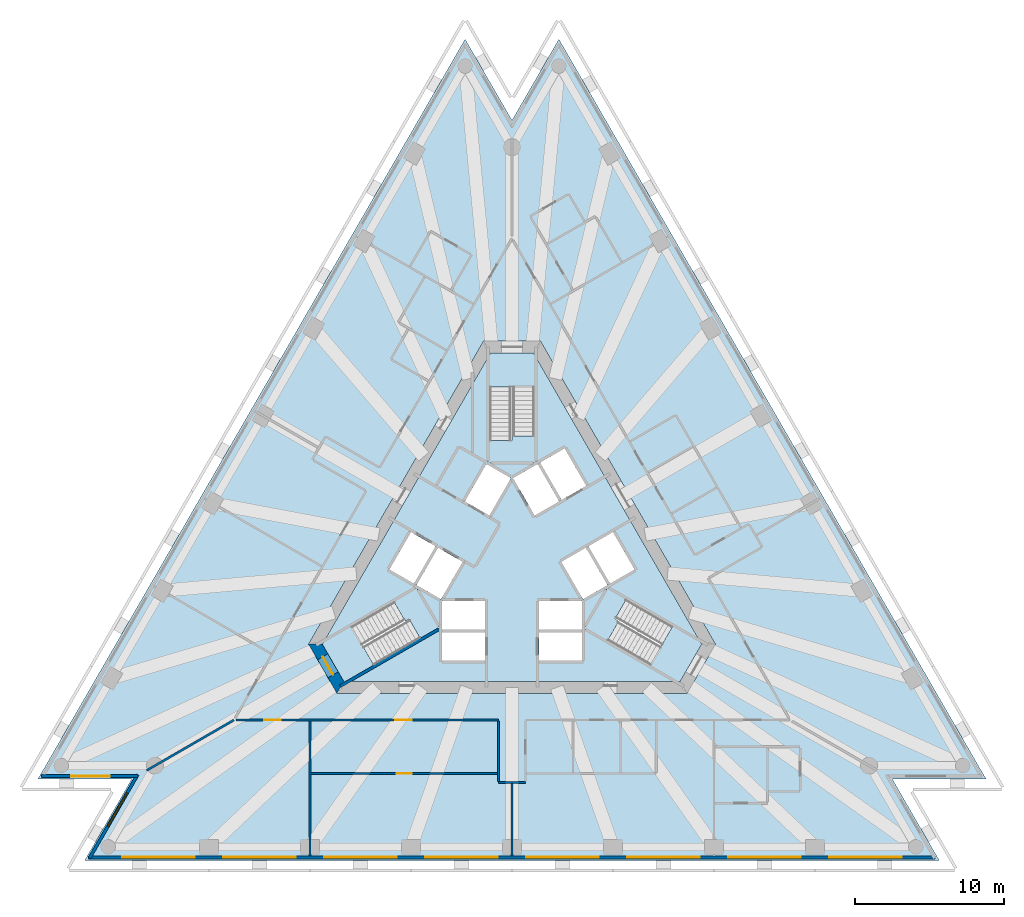
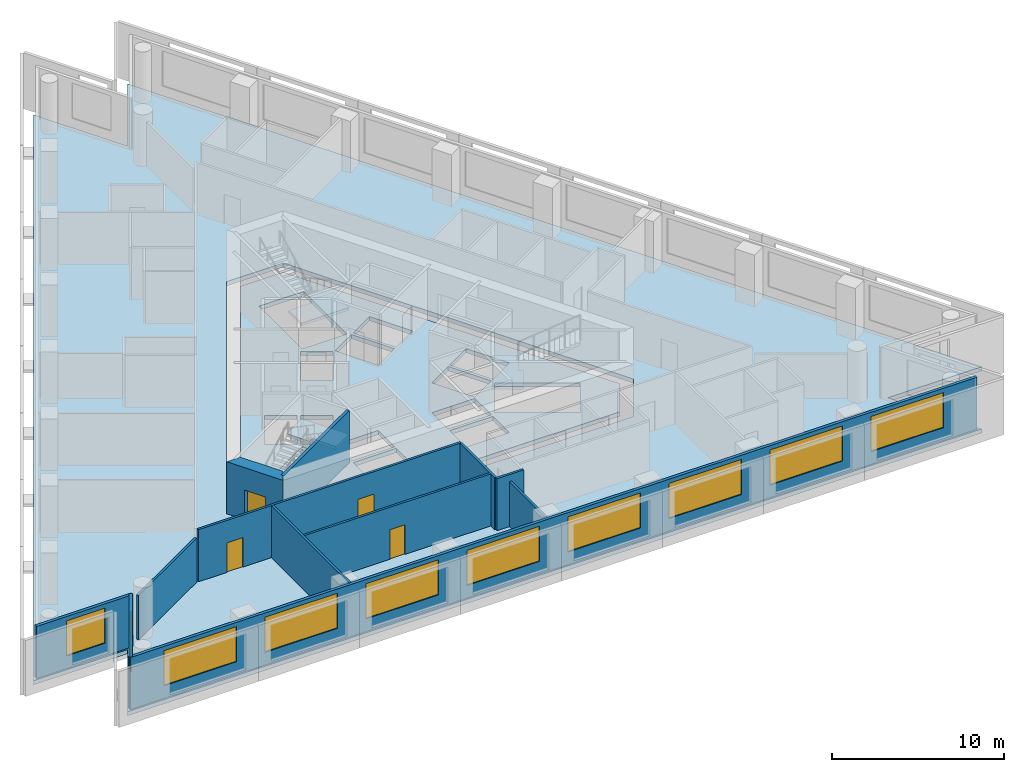
# One storey, part 2 of 9: 12 walls, 10 windows, 5 slabs, 4 doors, 14 openings, 3 elements without a shape of their own.
"""IFC4 building model written with IfcOpenShell, lengths in metres."""

from ifc_helpers import new_model, si_unit, direction, frame, frame_2d, origin, place, context, subcontext, project, spatial, polyline, rectangle, outline, extrude, material, layer, layer_set, layer_usage, type_object, element, fill, aggregate, save


model = new_model("IFC4")

# Units and contexts
model_context = context("Model", 3, precision=1e-05, world=origin(), true_north=direction((0.0, 1.0)))
body_context = subcontext(model_context, "Body", "Model", "MODEL_VIEW")
ifc_project = project(units=[si_unit("LENGTHUNIT", "METRE"), si_unit("AREAUNIT", "SQUARE_METRE"), si_unit("VOLUMEUNIT", "CUBIC_METRE"), si_unit("PLANEANGLEUNIT", "RADIAN"), si_unit("MASSUNIT", "GRAM", prefix="KILO")], contexts=[model_context])

# Site, building, storey
site_placement = place(None, origin())
site = spatial("IfcSite", under=ifc_project, at=site_placement, CompositionType="ELEMENT")
building_placement = place(site_placement, origin())
building = spatial("IfcBuilding", under=site, at=building_placement, Name="Triada Interchange Tower", CompositionType="ELEMENT")
storey_placement = place(building_placement, frame((0.0, 0.0, 136.300048828125)))
storey = spatial("IfcBuildingStorey", under=building, at=storey_placement, Name="L31", CompositionType="ELEMENT", Elevation=136.300048828125)

# Slabs
ifc_material_1 = material(Name="Concrete C50/60", Category="concrete")
ifc_layer_1 = layer(ifc_material_1, 0.300048828125)
ifc_layer_set_1 = layer_set([ifc_layer_1], Name="Floor slab 300")
slab_type_1 = type_object("IfcSlabType", Name="Floor slab 300", PredefinedType="FLOOR", material=ifc_layer_set_1)
slab_1_placement = place(storey_placement, frame((0.0, 0.0, -0.300048828125)))
element("IfcSlab", 1, at=slab_1_placement, inside=storey, type_object=slab_type_1, Name="Floor slab L31", PredefinedType="FLOOR", context=body_context, shape_type="SweptSolid", body=[
    extrude(outline(polyline([(-3.154052734375, 35.0009765625), (-31.888916015625, -14.76904296875), (-25.5810546875, -14.76904296875), (-28.735107421875, -20.23193359375), (28.735107421875, -20.23193359375), (25.5810546875, -14.76904296875), (31.888916015625, -14.76904296875), (3.154052734375, 35.0009765625), (0.0, 29.5390625), (-3.154052734375, 35.0009765625)]), holes=[polyline([(1.905029296875, 14.699951171875), (-1.905029296875, 14.699951171875), (-13.68310546875, -5.699951171875), (-11.778076171875, -9.0), (11.778076171875, -9.0), (13.68310546875, -5.699951171875), (1.905029296875, 14.699951171875)])]), origin(), (0.0, 0.0, 1.0), 0.300048828125),
])
slab_2_placement = place(storey_placement, frame((0.0, 0.0, -0.300048828125)))
element("IfcSlab", 2, at=slab_2_placement, inside=storey, type_object=slab_type_1, Name="Core floor slab L31 1", PredefinedType="FLOOR", context=body_context, shape_type="SweptSolid", body=[
    extrude(outline(polyline([(12.759033203125, -5.699951171875), (11.31591796875, -8.199951171875), (-11.31591796875, -8.199951171875), (-12.759033203125, -5.699951171875), (-1.443115234375, 13.89990234375), (1.443115234375, 13.89990234375), (12.759033203125, -5.699951171875)]), holes=[polyline([(9.2958984375, -7.09912109375), (10.7958984375, -4.5009765625), (6.466064453125, -2.0009765625), (4.966064453125, -4.59912109375), (9.2958984375, -7.09912109375)]), polyline([(6.7890625, 1.841064453125), (5.14404296875, 0.89111328125), (6.593994140625, -1.6201171875), (8.239013671875, -0.669921875), (6.7890625, 1.841064453125)]), polyline([(4.77490234375, -2.669921875), (6.419921875, -1.719970703125), (4.969970703125, 0.791015625), (3.9150390625, 0.181884765625), (3.324951171875, -0.158935546875), (4.77490234375, -2.669921875)]), polyline([(1.89404296875, 6.52001953125), (3.343994140625, 4.009033203125), (4.989013671875, 4.958984375), (3.5390625, 7.469970703125), (1.89404296875, 6.52001953125)]), polyline([(4.699951171875, -6.800048828125), (4.699951171875, -4.89990234375), (1.800048828125, -4.89990234375), (1.800048828125, -6.800048828125), (4.699951171875, -6.800048828125)]), polyline([(4.699951171875, -2.800048828125), (1.800048828125, -2.800048828125), (1.800048828125, -4.699951171875), (4.699951171875, -4.699951171875), (4.699951171875, -2.800048828125)]), polyline([(0.074951171875, 5.469970703125), (1.52490234375, 2.958984375), (3.169921875, 3.908935546875), (1.719970703125, 6.419921875), (0.074951171875, 5.469970703125)]), polyline([(1.5, 11.60009765625), (-1.5, 11.60009765625), (-1.5, 6.60009765625), (1.5, 6.60009765625), (1.5, 11.60009765625)]), polyline([(-1.52490234375, 2.958984375), (-0.074951171875, 5.469970703125), (-1.719970703125, 6.419921875), (-3.169921875, 3.908935546875), (-1.52490234375, 2.958984375)]), polyline([(-1.800048828125, -2.800048828125), (-4.699951171875, -2.800048828125), (-4.699951171875, -4.699951171875), (-1.800048828125, -4.699951171875), (-1.800048828125, -2.800048828125)]), polyline([(-4.699951171875, -6.800048828125), (-1.800048828125, -6.800048828125), (-1.800048828125, -4.89990234375), (-4.699951171875, -4.89990234375), (-4.699951171875, -6.800048828125)]), polyline([(-4.77490234375, -2.669921875), (-3.324951171875, -0.158935546875), (-4.969970703125, 0.791015625), (-6.419921875, -1.719970703125), (-4.77490234375, -2.669921875)]), polyline([(-10.7958984375, -4.5009765625), (-9.2958984375, -7.09912109375), (-4.966064453125, -4.59912109375), (-6.466064453125, -2.0009765625), (-10.7958984375, -4.5009765625)]), polyline([(-6.593994140625, -1.6201171875), (-5.14404296875, 0.89111328125), (-6.7890625, 1.841064453125), (-8.239013671875, -0.669921875), (-6.593994140625, -1.6201171875)])]), origin(), (0.0, 0.0, 1.0), 0.300048828125),
])

# Stair, slab
ifc_material_2 = material(Name="Concrete C35/45", Category="concrete")
stair_type = type_object("IfcStairType", Name="HALF TURN STAIR 1400", PredefinedType="HALF_TURN_STAIR", material=ifc_material_2)
stair_1_placement = place(storey_placement, origin())
stair_1 = element("IfcStair", 3, at=stair_1_placement, inside=storey, type_object=stair_type, Name="Exit stair S29-1", PredefinedType="HALF_TURN_STAIR")
ifc_layer_2 = layer(ifc_material_2, 0.199951171875)
ifc_layer_set_2 = layer_set([ifc_layer_2], Name="STAIR LANDING 200")
slab_type_2 = type_object("IfcSlabType", Name="STAIR LANDING 200", PredefinedType="LANDING", material=ifc_layer_set_2)
slab_3_placement = place(storey_placement, frame((0.0, 0.0, 1.719970703125)))
slab_3 = element("IfcSlab", 4, at=slab_3_placement, type_object=slab_type_2, Name="S29-1 landing 1", PredefinedType="LANDING", context=body_context, shape_type="SweptSolid", body=[
    extrude(outline(polyline([(1.60009765625, 6.5), (1.60009765625, 8.300048828125), (0.0, 8.300048828125), (0.0, 8.0), (-1.60009765625, 8.0), (-1.60009765625, 6.5), (1.60009765625, 6.5)])), origin(), (0.0, 0.0, 1.0), 0.199951171875),
])
aggregate(stair_1, [slab_3])

stair_2_placement = place(storey_placement, origin())
stair_2 = element("IfcStair", 5, at=stair_2_placement, inside=storey, type_object=stair_type, Name="Exit stair S29-2", PredefinedType="HALF_TURN_STAIR")
slab_4_placement = place(storey_placement, frame((0.0, 0.0, 1.719970703125)))
slab_4 = element("IfcSlab", 6, at=slab_4_placement, type_object=slab_type_2, Name="S29-2 landing 1", PredefinedType="LANDING", context=body_context, shape_type="SweptSolid", body=[
    extrude(outline(polyline([(-6.428955078125, -1.864013671875), (-7.988037109375, -2.763916015625), (-7.18798828125, -4.14990234375), (-6.927978515625, -4.0), (-6.1279296875, -5.385986328125), (-4.8291015625, -4.635986328125), (-6.428955078125, -1.864013671875)])), origin(), (0.0, 0.0, 1.0), 0.199951171875),
])
aggregate(stair_2, [slab_4])

stair_3_placement = place(storey_placement, origin())
stair_3 = element("IfcStair", 7, at=stair_3_placement, inside=storey, type_object=stair_type, Name="Exit stair S29-3", PredefinedType="HALF_TURN_STAIR")
slab_5_placement = place(storey_placement, frame((0.0, 0.0, 1.719970703125)))
slab_5 = element("IfcSlab", 8, at=slab_5_placement, type_object=slab_type_2, Name="S29-3 landing 1", PredefinedType="LANDING", context=body_context, shape_type="SweptSolid", body=[
    extrude(outline(polyline([(4.8291015625, -4.635986328125), (6.387939453125, -5.535888671875), (7.18798828125, -4.14990234375), (6.927978515625, -4.0), (7.72802734375, -2.614013671875), (6.428955078125, -1.864013671875), (4.8291015625, -4.635986328125)])), origin(), (0.0, 0.0, 1.0), 0.199951171875),
])
aggregate(stair_3, [slab_5])

# Wall
ifc_material_3 = material(Name="Concrete C30/37", Category="concrete")
ifc_layer_3 = layer(ifc_material_3, 0.199951171875)
ifc_layer_set_3 = layer_set([ifc_layer_3], Name="CORE WALL 200 REI 240")
wall_type_1 = type_object("IfcWallType", Name="CORE WALL 200 REI 240", PredefinedType="SOLIDWALL", material=ifc_layer_set_3)
wall_1_placement = place(storey_placement, frame((-11.56689453125, -8.52587890625, 0.0), z_axis=(0.0, 0.0, 1.0), x_axis=(0.866005769735, 0.50003400563, 0.0)))
element("IfcWall", 9, at=wall_1_placement, inside=storey, type_object=wall_type_1, Name="Wall L29 94", PredefinedType="SOLIDWALL", context=body_context, shape_type="SweptSolid", body=[
    extrude(rectangle(XDim=7.6650390625, YDim=0.199951171875, at=frame_2d((3.83251953125, 0.0))), origin(), (0.0, 0.0, 1.0), 3.699951171875),
])

# Wall, opening, door
ifc_material_4 = material(Name="Concrete C60/75", Category="concrete")
ifc_layer_4 = layer(ifc_material_4, 0.800048828125)
ifc_layer_set_4 = layer_set([ifc_layer_4], Name="Core wall B 800")
wall_type_2 = type_object("IfcWallType", Name="Core wall B 800", PredefinedType="SHEAR", material=ifc_layer_set_4)
wall_2_placement = place(storey_placement, frame((-13.220947265625, -5.699951171875, -0.300048828125), z_axis=(0.0, 0.0, 1.0), x_axis=(0.49987182685, -0.866099391942, 0.0)))
wall_2 = element("IfcWall", 10, at=wall_2_placement, inside=storey, type_object=wall_type_2, Name="Core wall WB03 L31", PredefinedType="SHEAR", context=body_context, shape_type="SweptSolid", body=[
    extrude(outline(polyline([(-0.23095703125, -0.39990234375), (1.674072265625, -0.39990234375), (3.5791015625, -0.39990234375), (3.117919921875, 0.39990234375), (1.67431640625, 0.39990234375), (0.23095703125, 0.39990234375), (-0.23095703125, -0.39990234375)])), origin(), (0.0, 0.0, 1.0), 4.0),
])
opening_1_placement = place(wall_2_placement, frame((0.97412109375, 0.0, 0.300048828125)))
opening_1 = element("IfcOpeningElement", 11, at=opening_1_placement, cuts=wall_2, Name="Opening D29-39", PredefinedType="OPENING", context=body_context, shape_type="SweptSolid", body=[
    extrude(rectangle(XDim=1.39990234375, YDim=2.10009765625, at=frame_2d((0.699951171875, 1.050048828125))), frame((0.0, 0.409912109375, 0.0), z_axis=(0.0, -1.0, 0.0), x_axis=(1.0, 0.0, 0.0)), (0.0, 0.0, 1.0), 0.820068359375),
])
ifc_material_5 = material(Name="Steel S235 door leaf", Category="steel")
door_type_1 = type_object("IfcDoorType", Name="STAIR DOOR 1400 EI2 90-C5S200", OperationType="DOUBLE_DOOR_SINGLE_SWING", PredefinedType="DOOR", material=ifc_material_5)
door_1_placement = place(opening_1_placement, origin())
door_1 = element("IfcDoor", 12, at=door_1_placement, inside=storey, type_object=door_type_1, Name="Door D29-39 L31", OperationType="DOUBLE_DOOR_SINGLE_SWING", OverallHeight=2.10009765625, OverallWidth=1.39990234375, PredefinedType="DOOR", context=body_context, shape_type="SweptSolid", body=[
    extrude(rectangle(XDim=1.39990234375, YDim=2.10009765625, at=frame_2d((0.699951171875, 1.050048828125))), frame((0.0, 0.02490234375, 0.0), z_axis=(0.0, -1.0, 0.0), x_axis=(1.0, 0.0, 0.0)), (0.0, 0.0, 1.0), 0.050048828125),
])
fill(opening_1, door_1)

# Wall, opening, window
ifc_material_6 = material(Name="Cement board")
ifc_layer_5 = layer(ifc_material_6, 0.02001953125, Name="Cement board cladding")
ifc_material_7 = material(Name="Sheathing board")
ifc_layer_6 = layer(ifc_material_7, 0.014892578125, Name="Sheathing board")
ifc_material_8 = material(Name="Mineral wool")
ifc_layer_7 = layer(ifc_material_8, 0.14990234375, Name="Mineral wool between steel studs")
ifc_material_9 = material(Name="Gypsum board")
ifc_layer_8 = layer(ifc_material_9, 0.014892578125, Name="Plasterboard lining")
ifc_layer_set_5 = layer_set([ifc_layer_5, ifc_layer_6, ifc_layer_7, ifc_layer_8], Name="External wall 200")
ifc_layer_usage = layer_usage(ifc_layer_set_5, "AXIS2", "POSITIVE", -0.10009765625)
wall_type_3 = type_object("IfcWallType", Name="External wall 200", PredefinedType="ELEMENTEDWALL", material=ifc_layer_set_5)
wall_3_placement = place(storey_placement, frame((-31.633056640625, -14.569091796875, 0.0), z_axis=(0.0, 0.0, 1.0), x_axis=(1.0, 0.0, 0.0)))
wall_3 = element("IfcWall", 13, at=wall_3_placement, inside=storey, type_object=wall_type_3, material=ifc_layer_usage, Name="External wall L31 SW-1", PredefinedType="ELEMENTEDWALL", context=body_context, shape_type="SweptSolid", body=[
    extrude(rectangle(XDim=6.468017578125, YDim=0.199951171875, at=frame_2d((3.23388671875, 0.0))), origin(), (0.0, 0.0, 1.0), 3.699951171875),
])
opening_2_placement = place(wall_3_placement, frame((1.989990234375, 0.0, 0.89990234375)))
opening_2 = element("IfcOpeningElement", 14, at=opening_2_placement, cuts=wall_3, Name="Opening WB09", PredefinedType="OPENING", context=body_context, shape_type="SweptSolid", body=[
    extrude(rectangle(XDim=2.60009765625, YDim=2.5, at=frame_2d((1.300048828125, 1.25))), frame((0.0, 0.10986328125, 0.0), z_axis=(0.0, -1.0, 0.0), x_axis=(1.0, 0.0, 0.0)), (0.0, 0.0, 1.0), 0.219970703125),
])
ifc_material_10 = material(Name="Double glazed aluminium window", Category="aluminium")
window_type_1 = type_object("IfcWindowType", Name="Ribbon window B pocket", PartitioningType="SINGLE_PANEL", PredefinedType="WINDOW", material=ifc_material_10)
window_1_placement = place(opening_2_placement, origin())
window_1 = element("IfcWindow", 15, at=window_1_placement, inside=storey, type_object=window_type_1, Name="Window L31 SW-1 1", OverallHeight=2.5, OverallWidth=2.60009765625, PartitioningType="SINGLE_PANEL", PredefinedType="WINDOW", context=body_context, shape_type="SweptSolid", body=[
    extrude(rectangle(XDim=2.60009765625, YDim=2.5, at=frame_2d((1.300048828125, 1.25))), frame((0.0, 0.030029296875, 0.0), z_axis=(0.0, -1.0, 0.0), x_axis=(1.0, 0.0, 0.0)), (0.0, 0.0, 1.0), 0.06005859375),
])
fill(opening_2, window_1)

wall_4_placement = place(storey_placement, frame((-25.18994140625, -14.490966796875, 0.0), z_axis=(0.0, 0.0, 1.0), x_axis=(-0.499975110204, -0.866039773438, 0.0)))
wall_4 = element("IfcWall", 16, at=wall_4_placement, inside=storey, type_object=wall_type_3, material=ifc_layer_usage, Name="External wall L31 SW-2", PredefinedType="ELEMENTEDWALL", context=body_context, shape_type="SweptSolid", body=[
    extrude(rectangle(XDim=6.468505859375, YDim=0.199951171875, at=frame_2d((3.234375, 0.0))), origin(), (0.0, 0.0, 1.0), 3.699951171875),
])
opening_3_placement = place(wall_4_placement, frame((1.389892578125, 0.0, 0.89990234375)))
opening_3 = element("IfcOpeningElement", 17, at=opening_3_placement, cuts=wall_4, Name="Opening WB10", PredefinedType="OPENING", context=body_context, shape_type="SweptSolid", body=[
    extrude(rectangle(XDim=2.60009765625, YDim=2.5, at=frame_2d((1.300048828125, 1.25))), frame((0.0, 0.10986328125, 0.0), z_axis=(0.0, -1.0, 0.0), x_axis=(1.0, 0.0, 0.0)), (0.0, 0.0, 1.0), 0.219970703125),
])
window_2_placement = place(opening_3_placement, origin())
window_2 = element("IfcWindow", 18, at=window_2_placement, inside=storey, type_object=window_type_1, Name="Window L31 SW-2 1", OverallHeight=2.5, OverallWidth=2.60009765625, PartitioningType="SINGLE_PANEL", PredefinedType="WINDOW", context=body_context, shape_type="SweptSolid", body=[
    extrude(rectangle(XDim=2.60009765625, YDim=2.5, at=frame_2d((1.300048828125, 1.25))), frame((0.0, 0.030029296875, 0.0), z_axis=(0.0, -1.0, 0.0), x_axis=(1.0, 0.0, 0.0)), (0.0, 0.0, 1.0), 0.06005859375),
])
fill(opening_3, window_2)

# Wall, openings, windows
wall_5_placement = place(storey_placement, frame((-28.47900390625, -20.031982421875, 0.0), z_axis=(0.0, 0.0, 1.0), x_axis=(1.0, 0.0, 0.0)))
wall_5 = element("IfcWall", 19, at=wall_5_placement, inside=storey, type_object=wall_type_3, material=ifc_layer_usage, Name="External wall L31 S", PredefinedType="ELEMENTEDWALL", context=body_context, shape_type="SweptSolid", body=[
    extrude(rectangle(XDim=56.93798828125, YDim=0.199951171875, at=frame_2d((28.468994140625, 0.0))), origin(), (0.0, 0.0, 1.0), 3.699951171875),
])
opening_4_placement = place(wall_5_placement, frame((2.25, 0.0, 0.89990234375)))
opening_4 = element("IfcOpeningElement", 20, at=opening_4_placement, cuts=wall_5, Name="Opening WB11", PredefinedType="OPENING", context=body_context, shape_type="SweptSolid", body=[
    extrude(rectangle(XDim=4.89990234375, YDim=2.5, at=frame_2d((2.449951171875, 1.25))), frame((0.0, 0.10986328125, 0.0), z_axis=(0.0, -1.0, 0.0), x_axis=(1.0, 0.0, 0.0)), (0.0, 0.0, 1.0), 0.219970703125),
])
opening_5_placement = place(wall_5_placement, frame((9.0439453125, 0.0, 0.89990234375)))
opening_5 = element("IfcOpeningElement", 21, at=opening_5_placement, cuts=wall_5, Name="Opening WB12", PredefinedType="OPENING", context=body_context, shape_type="SweptSolid", body=[
    extrude(rectangle(XDim=4.89990234375, YDim=2.5, at=frame_2d((2.449951171875, 1.25))), frame((0.0, 0.10986328125, 0.0), z_axis=(0.0, -1.0, 0.0), x_axis=(1.0, 0.0, 0.0)), (0.0, 0.0, 1.0), 0.219970703125),
])
opening_6_placement = place(wall_5_placement, frame((15.837890625, 0.0, 0.89990234375)))
opening_6 = element("IfcOpeningElement", 22, at=opening_6_placement, cuts=wall_5, Name="Opening WB13", PredefinedType="OPENING", context=body_context, shape_type="SweptSolid", body=[
    extrude(rectangle(XDim=4.89990234375, YDim=2.5, at=frame_2d((2.449951171875, 1.25))), frame((0.0, 0.10986328125, 0.0), z_axis=(0.0, -1.0, 0.0), x_axis=(1.0, 0.0, 0.0)), (0.0, 0.0, 1.0), 0.219970703125),
])
opening_7_placement = place(wall_5_placement, frame((22.632080078125, 0.0, 0.89990234375)))
opening_7 = element("IfcOpeningElement", 23, at=opening_7_placement, cuts=wall_5, Name="Opening WB14", PredefinedType="OPENING", context=body_context, shape_type="SweptSolid", body=[
    extrude(rectangle(XDim=4.89990234375, YDim=2.5, at=frame_2d((2.449951171875, 1.25))), frame((0.0, 0.10986328125, 0.0), z_axis=(0.0, -1.0, 0.0), x_axis=(1.0, 0.0, 0.0)), (0.0, 0.0, 1.0), 0.219970703125),
])
opening_8_placement = place(wall_5_placement, frame((29.426025390625, 0.0, 0.89990234375)))
opening_8 = element("IfcOpeningElement", 24, at=opening_8_placement, cuts=wall_5, Name="Opening WB15", PredefinedType="OPENING", context=body_context, shape_type="SweptSolid", body=[
    extrude(rectangle(XDim=4.89990234375, YDim=2.5, at=frame_2d((2.449951171875, 1.25))), frame((0.0, 0.10986328125, 0.0), z_axis=(0.0, -1.0, 0.0), x_axis=(1.0, 0.0, 0.0)), (0.0, 0.0, 1.0), 0.219970703125),
])
opening_9_placement = place(wall_5_placement, frame((36.219970703125, 0.0, 0.89990234375)))
opening_9 = element("IfcOpeningElement", 25, at=opening_9_placement, cuts=wall_5, Name="Opening WB16", PredefinedType="OPENING", context=body_context, shape_type="SweptSolid", body=[
    extrude(rectangle(XDim=4.89990234375, YDim=2.5, at=frame_2d((2.449951171875, 1.25))), frame((0.0, 0.10986328125, 0.0), z_axis=(0.0, -1.0, 0.0), x_axis=(1.0, 0.0, 0.0)), (0.0, 0.0, 1.0), 0.219970703125),
])
opening_10_placement = place(wall_5_placement, frame((43.013916015625, 0.0, 0.89990234375)))
opening_10 = element("IfcOpeningElement", 26, at=opening_10_placement, cuts=wall_5, Name="Opening WB17", PredefinedType="OPENING", context=body_context, shape_type="SweptSolid", body=[
    extrude(rectangle(XDim=4.89990234375, YDim=2.5, at=frame_2d((2.449951171875, 1.25))), frame((0.0, 0.10986328125, 0.0), z_axis=(0.0, -1.0, 0.0), x_axis=(1.0, 0.0, 0.0)), (0.0, 0.0, 1.0), 0.219970703125),
])
opening_11_placement = place(wall_5_placement, frame((49.80810546875, 0.0, 0.89990234375)))
opening_11 = element("IfcOpeningElement", 27, at=opening_11_placement, cuts=wall_5, Name="Opening WB18", PredefinedType="OPENING", context=body_context, shape_type="SweptSolid", body=[
    extrude(rectangle(XDim=4.89990234375, YDim=2.5, at=frame_2d((2.449951171875, 1.25))), frame((0.0, 0.10986328125, 0.0), z_axis=(0.0, -1.0, 0.0), x_axis=(1.0, 0.0, 0.0)), (0.0, 0.0, 1.0), 0.219970703125),
])
window_type_2 = type_object("IfcWindowType", Name="Ribbon window B face", PartitioningType="SINGLE_PANEL", PredefinedType="WINDOW", material=ifc_material_10)
window_3_placement = place(opening_4_placement, origin())
window_3 = element("IfcWindow", 28, at=window_3_placement, inside=storey, type_object=window_type_2, Name="Window L31 S 1", OverallHeight=2.5, OverallWidth=4.89990234375, PartitioningType="SINGLE_PANEL", PredefinedType="WINDOW", context=body_context, shape_type="SweptSolid", body=[
    extrude(rectangle(XDim=4.89990234375, YDim=2.5, at=frame_2d((2.449951171875, 1.25))), frame((0.0, 0.030029296875, 0.0), z_axis=(0.0, -1.0, 0.0), x_axis=(1.0, 0.0, 0.0)), (0.0, 0.0, 1.0), 0.06005859375),
])
fill(opening_4, window_3)
window_4_placement = place(opening_5_placement, origin())
window_4 = element("IfcWindow", 29, at=window_4_placement, inside=storey, type_object=window_type_2, Name="Window L31 S 2", OverallHeight=2.5, OverallWidth=4.89990234375, PartitioningType="SINGLE_PANEL", PredefinedType="WINDOW", context=body_context, shape_type="SweptSolid", body=[
    extrude(rectangle(XDim=4.89990234375, YDim=2.5, at=frame_2d((2.449951171875, 1.25))), frame((0.0, 0.030029296875, 0.0), z_axis=(0.0, -1.0, 0.0), x_axis=(1.0, 0.0, 0.0)), (0.0, 0.0, 1.0), 0.06005859375),
])
fill(opening_5, window_4)
window_5_placement = place(opening_6_placement, origin())
window_5 = element("IfcWindow", 30, at=window_5_placement, inside=storey, type_object=window_type_2, Name="Window L31 S 3", OverallHeight=2.5, OverallWidth=4.89990234375, PartitioningType="SINGLE_PANEL", PredefinedType="WINDOW", context=body_context, shape_type="SweptSolid", body=[
    extrude(rectangle(XDim=4.89990234375, YDim=2.5, at=frame_2d((2.449951171875, 1.25))), frame((0.0, 0.030029296875, 0.0), z_axis=(0.0, -1.0, 0.0), x_axis=(1.0, 0.0, 0.0)), (0.0, 0.0, 1.0), 0.06005859375),
])
fill(opening_6, window_5)
window_6_placement = place(opening_7_placement, origin())
window_6 = element("IfcWindow", 31, at=window_6_placement, inside=storey, type_object=window_type_2, Name="Window L31 S 4", OverallHeight=2.5, OverallWidth=4.89990234375, PartitioningType="SINGLE_PANEL", PredefinedType="WINDOW", context=body_context, shape_type="SweptSolid", body=[
    extrude(rectangle(XDim=4.89990234375, YDim=2.5, at=frame_2d((2.449951171875, 1.25))), frame((0.0, 0.030029296875, 0.0), z_axis=(0.0, -1.0, 0.0), x_axis=(1.0, 0.0, 0.0)), (0.0, 0.0, 1.0), 0.06005859375),
])
fill(opening_7, window_6)
window_7_placement = place(opening_8_placement, origin())
window_7 = element("IfcWindow", 32, at=window_7_placement, inside=storey, type_object=window_type_2, Name="Window L31 S 5", OverallHeight=2.5, OverallWidth=4.89990234375, PartitioningType="SINGLE_PANEL", PredefinedType="WINDOW", context=body_context, shape_type="SweptSolid", body=[
    extrude(rectangle(XDim=4.89990234375, YDim=2.5, at=frame_2d((2.449951171875, 1.25))), frame((0.0, 0.030029296875, 0.0), z_axis=(0.0, -1.0, 0.0), x_axis=(1.0, 0.0, 0.0)), (0.0, 0.0, 1.0), 0.06005859375),
])
fill(opening_8, window_7)
window_8_placement = place(opening_9_placement, origin())
window_8 = element("IfcWindow", 33, at=window_8_placement, inside=storey, type_object=window_type_2, Name="Window L31 S 6", OverallHeight=2.5, OverallWidth=4.89990234375, PartitioningType="SINGLE_PANEL", PredefinedType="WINDOW", context=body_context, shape_type="SweptSolid", body=[
    extrude(rectangle(XDim=4.89990234375, YDim=2.5, at=frame_2d((2.449951171875, 1.25))), frame((0.0, 0.030029296875, 0.0), z_axis=(0.0, -1.0, 0.0), x_axis=(1.0, 0.0, 0.0)), (0.0, 0.0, 1.0), 0.06005859375),
])
fill(opening_9, window_8)
window_9_placement = place(opening_10_placement, origin())
window_9 = element("IfcWindow", 34, at=window_9_placement, inside=storey, type_object=window_type_2, Name="Window L31 S 7", OverallHeight=2.5, OverallWidth=4.89990234375, PartitioningType="SINGLE_PANEL", PredefinedType="WINDOW", context=body_context, shape_type="SweptSolid", body=[
    extrude(rectangle(XDim=4.89990234375, YDim=2.5, at=frame_2d((2.449951171875, 1.25))), frame((0.0, 0.030029296875, 0.0), z_axis=(0.0, -1.0, 0.0), x_axis=(1.0, 0.0, 0.0)), (0.0, 0.0, 1.0), 0.06005859375),
])
fill(opening_10, window_9)
window_10_placement = place(opening_11_placement, origin())
window_10 = element("IfcWindow", 35, at=window_10_placement, inside=storey, type_object=window_type_2, Name="Window L31 S 8", OverallHeight=2.5, OverallWidth=4.89990234375, PartitioningType="SINGLE_PANEL", PredefinedType="WINDOW", context=body_context, shape_type="SweptSolid", body=[
    extrude(rectangle(XDim=4.89990234375, YDim=2.5, at=frame_2d((2.449951171875, 1.25))), frame((0.0, 0.030029296875, 0.0), z_axis=(0.0, -1.0, 0.0), x_axis=(1.0, 0.0, 0.0)), (0.0, 0.0, 1.0), 0.06005859375),
])
fill(opening_11, window_10)

# Wall
ifc_material_11 = material(Name="Gypsum board partition")
ifc_layer_9 = layer(ifc_material_11, 0.14990234375)
ifc_layer_set_6 = layer_set([ifc_layer_9], Name="PARTITION 150 EI 180")
wall_type_4 = type_object("IfcWallType", Name="PARTITION 150 EI 180", PredefinedType="PARTITIONING", material=ifc_layer_set_6)
wall_6_placement = place(storey_placement, frame((-24.55908203125, -14.178955078125, 0.0), z_axis=(0.0, 0.0, 1.0), x_axis=(0.866047229553, 0.499962194753, 0.0)))
element("IfcWall", 36, at=wall_6_placement, inside=storey, type_object=wall_type_4, Name="Wall L29 1", PredefinedType="PARTITIONING", context=body_context, shape_type="SweptSolid", body=[
    extrude(rectangle(XDim=6.75830078125, YDim=0.14990234375, at=frame_2d((3.379150390625, 0.0))), origin(), (0.0, 0.0, 1.0), 3.14990234375),
])

# Wall, openings, doors
wall_7_placement = place(storey_placement, frame((-18.555908203125, -10.800048828125, 0.0), z_axis=(0.0, 0.0, 1.0), x_axis=(1.0, 0.0, 0.0)))
wall_7 = element("IfcWall", 37, at=wall_7_placement, inside=storey, type_object=wall_type_4, Name="Wall L29 4", PredefinedType="PARTITIONING", context=body_context, shape_type="SweptSolid", body=[
    extrude(rectangle(XDim=17.655029296875, YDim=0.14990234375, at=frame_2d((8.82763671875, 0.0))), origin(), (0.0, 0.0, 1.0), 3.699951171875),
])
opening_12_placement = place(wall_7_placement, frame((1.89990234375, 0.0, 0.0)))
opening_12 = element("IfcOpeningElement", 38, at=opening_12_placement, cuts=wall_7, Name="Opening D29-11", PredefinedType="OPENING", context=body_context, shape_type="SweptSolid", body=[
    extrude(rectangle(XDim=1.10009765625, YDim=2.10009765625, at=frame_2d((0.550048828125, 1.050048828125))), frame((0.0, 0.0849609375, 0.0), z_axis=(0.0, -1.0, 0.0), x_axis=(1.0, 0.0, 0.0)), (0.0, 0.0, 1.0), 0.169921875),
])
opening_13_placement = place(wall_7_placement, frame((10.718017578125, 0.0, 0.0)))
opening_13 = element("IfcOpeningElement", 39, at=opening_13_placement, cuts=wall_7, Name="Opening D29-12", PredefinedType="OPENING", context=body_context, shape_type="SweptSolid", body=[
    extrude(rectangle(XDim=1.10009765625, YDim=2.10009765625, at=frame_2d((0.550048828125, 1.050048828125))), frame((0.0, 0.0849609375, 0.0), z_axis=(0.0, -1.0, 0.0), x_axis=(1.0, 0.0, 0.0)), (0.0, 0.0, 1.0), 0.169921875),
])
door_type_2 = type_object("IfcDoorType", Name="TENANCY ENTRANCE DOOR 1100 EI2 90-C5S200", OperationType="NOTDEFINED", PredefinedType="DOOR", material=ifc_material_5)
door_2_placement = place(opening_12_placement, origin())
door_2 = element("IfcDoor", 40, at=door_2_placement, inside=storey, type_object=door_type_2, Name="Door D29-11 L31", OperationType="SINGLE_SWING_RIGHT", OverallHeight=2.10009765625, OverallWidth=1.10009765625, PredefinedType="DOOR", context=body_context, shape_type="SweptSolid", body=[
    extrude(rectangle(XDim=1.10009765625, YDim=2.10009765625, at=frame_2d((0.550048828125, 1.050048828125))), frame((0.0, 0.02490234375, 0.0), z_axis=(0.0, -1.0, 0.0), x_axis=(1.0, 0.0, 0.0)), (0.0, 0.0, 1.0), 0.050048828125),
])
fill(opening_12, door_2)
door_3_placement = place(opening_13_placement, origin())
door_3 = element("IfcDoor", 41, at=door_3_placement, inside=storey, type_object=door_type_2, Name="Door D29-12 L31", OperationType="SINGLE_SWING_LEFT", OverallHeight=2.10009765625, OverallWidth=1.10009765625, PredefinedType="DOOR", context=body_context, shape_type="SweptSolid", body=[
    extrude(rectangle(XDim=1.10009765625, YDim=2.10009765625, at=frame_2d((0.550048828125, 1.050048828125))), frame((0.0, 0.02490234375, 0.0), z_axis=(0.0, -1.0, 0.0), x_axis=(1.0, 0.0, 0.0)), (0.0, 0.0, 1.0), 0.050048828125),
])
fill(opening_13, door_3)

# Walls
wall_8_placement = place(storey_placement, frame((-13.587890625, -19.951904296875, 0.0), z_axis=(0.0, 0.0, 1.0), x_axis=(0.0, 1.0, 0.0)))
element("IfcWall", 42, at=wall_8_placement, inside=storey, type_object=wall_type_4, Name="Wall L29 10", PredefinedType="PARTITIONING", context=body_context, shape_type="SweptSolid", body=[
    extrude(rectangle(XDim=9.076904296875, YDim=0.14990234375, at=frame_2d((4.53857421875, 0.0))), origin(), (0.0, 0.0, 1.0), 3.699951171875),
])
wall_9_placement = place(storey_placement, frame((-0.89990234375, -15.0, 0.0), z_axis=(0.0, 0.0, 1.0), x_axis=(1.0, 0.0, 0.0)))
element("IfcWall", 43, at=wall_9_placement, inside=storey, type_object=wall_type_4, Name="Wall L29 11", PredefinedType="PARTITIONING", context=body_context, shape_type="SweptSolid", body=[
    extrude(rectangle(XDim=1.7998046875, YDim=0.14990234375, at=frame_2d((0.89990234375, 0.0))), origin(), (0.0, 0.0, 1.0), 3.699951171875),
])
wall_10_placement = place(storey_placement, frame((-0.89990234375, -14.925048828125, 0.0), z_axis=(0.0, 0.0, 1.0), x_axis=(0.0, 1.0, 0.0)))
element("IfcWall", 44, at=wall_10_placement, inside=storey, type_object=wall_type_4, Name="Wall L29 12", PredefinedType="PARTITIONING", context=body_context, shape_type="SweptSolid", body=[
    extrude(rectangle(XDim=4.049072265625, YDim=0.14990234375, at=frame_2d((2.0244140625, 0.0))), origin(), (0.0, 0.0, 1.0), 3.699951171875),
])
wall_11_placement = place(storey_placement, frame((0.0, -19.951904296875, 0.0), z_axis=(0.0, 0.0, 1.0), x_axis=(0.0, 1.0, 0.0)))
element("IfcWall", 45, at=wall_11_placement, inside=storey, type_object=wall_type_4, Name="Wall L29 21", PredefinedType="PARTITIONING", context=body_context, shape_type="SweptSolid", body=[
    extrude(rectangle(XDim=4.876953125, YDim=0.14990234375, at=frame_2d((2.4384765625, 0.0))), origin(), (0.0, 0.0, 1.0), 3.199951171875),
])

# Wall, opening, door
ifc_layer_10 = layer(ifc_material_11, 0.14990234375)
ifc_layer_set_7 = layer_set([ifc_layer_10], Name="PARTITION 150 EI 90")
wall_type_5 = type_object("IfcWallType", Name="PARTITION 150 EI 90", PredefinedType="PARTITIONING", material=ifc_layer_set_7)
wall_12_placement = place(storey_placement, frame((-13.512939453125, -14.39990234375, 0.0), z_axis=(0.0, 0.0, 1.0), x_axis=(1.0, 0.0, 0.0)))
wall_12 = element("IfcWall", 46, at=wall_12_placement, inside=storey, type_object=wall_type_5, Name="Wall L29 40", PredefinedType="PARTITIONING", context=body_context, shape_type="SweptSolid", body=[
    extrude(rectangle(XDim=12.537841796875, YDim=0.14990234375, at=frame_2d((6.26904296875, 0.0))), origin(), (0.0, 0.0, 1.0), 3.699951171875),
])
opening_14_placement = place(wall_12_placement, frame((5.77490234375, 0.0, 0.0)))
opening_14 = element("IfcOpeningElement", 47, at=opening_14_placement, cuts=wall_12, Name="Opening D29-13", PredefinedType="OPENING", context=body_context, shape_type="SweptSolid", body=[
    extrude(rectangle(XDim=1.0, YDim=2.10009765625, at=frame_2d((0.5, 1.050048828125))), frame((0.0, 0.0849609375, 0.0), z_axis=(0.0, -1.0, 0.0), x_axis=(1.0, 0.0, 0.0)), (0.0, 0.0, 1.0), 0.169921875),
])
door_type_3 = type_object("IfcDoorType", Name="ROOM DOOR 1000 EI2 45-C5S200", OperationType="NOTDEFINED", PredefinedType="DOOR", material=ifc_material_5)
door_4_placement = place(opening_14_placement, origin())
door_4 = element("IfcDoor", 48, at=door_4_placement, inside=storey, type_object=door_type_3, Name="Door D29-13 L31", OperationType="SINGLE_SWING_RIGHT", OverallHeight=2.10009765625, OverallWidth=1.0, PredefinedType="DOOR", context=body_context, shape_type="SweptSolid", body=[
    extrude(rectangle(XDim=1.0, YDim=2.10009765625, at=frame_2d((0.5, 1.050048828125))), frame((0.0, 0.02490234375, 0.0), z_axis=(0.0, -1.0, 0.0), x_axis=(1.0, 0.0, 0.0)), (0.0, 0.0, 1.0), 0.050048828125),
])
fill(opening_14, door_4)

save(model, "model.ifc")
